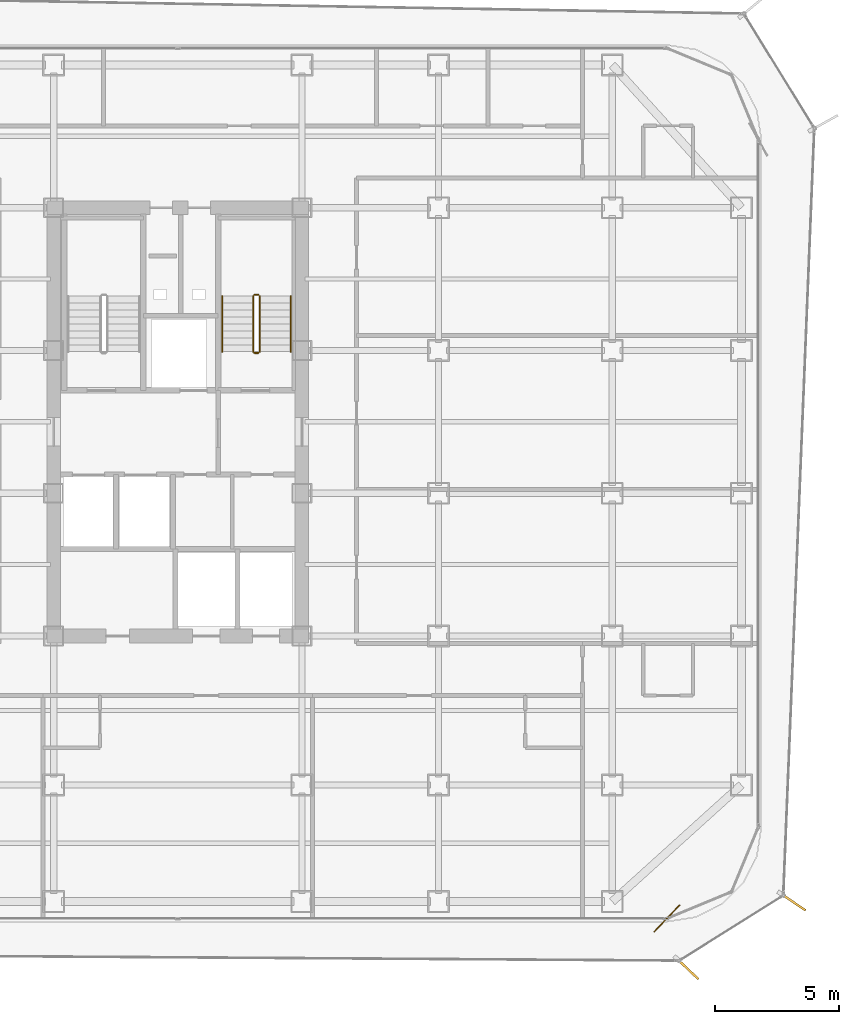
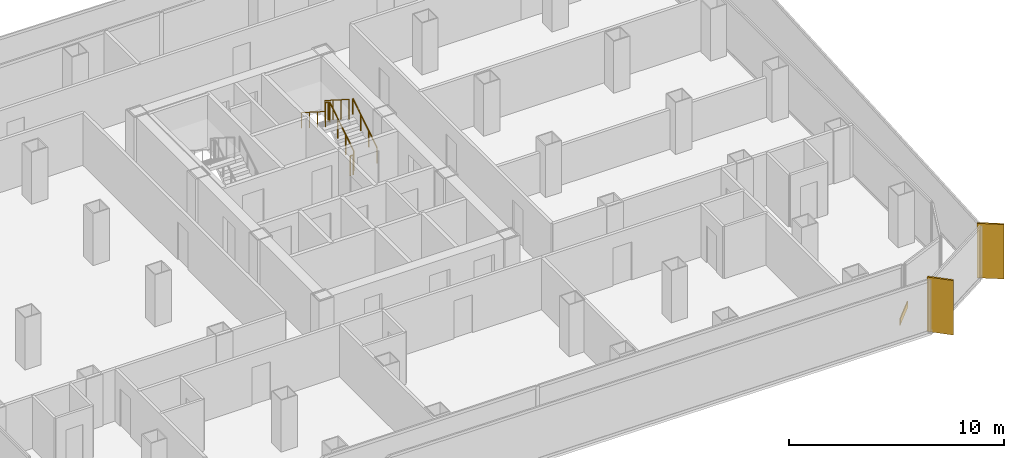
# One storey, part 20 of 21: 6 railings, 2 shading devices, 1 covering.
"""IFC4 building model written with IfcOpenShell, lengths in metres."""

from ifc_helpers import new_model, si_unit, direction, frame, origin, origin_2d, place, context, subcontext, project, spatial, rectangle, circle, extrude, source, transform, mapped, material, layer, layer_set, type_object, element, save


model = new_model("IFC4")

# Units and contexts
model_context = context("Model", 3, precision=1e-05, world=origin(), true_north=direction((0.0, 1.0)))
body_context = subcontext(model_context, "Body", "Model", "MODEL_VIEW")
ifc_project = project(units=[si_unit("LENGTHUNIT", "METRE"), si_unit("AREAUNIT", "SQUARE_METRE"), si_unit("VOLUMEUNIT", "CUBIC_METRE"), si_unit("PLANEANGLEUNIT", "RADIAN"), si_unit("MASSUNIT", "GRAM", prefix="KILO")], contexts=[model_context])

# Site, building, storey
site_placement = place(None, origin())
site = spatial("IfcSite", under=ifc_project, at=site_placement, CompositionType="ELEMENT")
building_placement = place(site_placement, origin())
building = spatial("IfcBuilding", under=site, at=building_placement, Name="Kolveth Station Tower", CompositionType="ELEMENT")
storey_placement = place(building_placement, frame((0.0, 0.0, 121.5)))
storey = spatial("IfcBuildingStorey", under=building, at=storey_placement, Name="L33", CompositionType="ELEMENT", Elevation=121.5)

# Railings
ifc_material_1 = material(Name="Painted Steel S355 balustrade", Category="steel")
railing_type_1 = type_object("IfcRailingType", Name="Guard_GR2", PredefinedType="BALUSTRADE", material=ifc_material_1)
railing_1_placement = place(storey_placement, frame((26.800048828125, 22.949951171875, 0.177734375)))
element("IfcRailing", 1, at=railing_1_placement, inside=storey, type_object=railing_type_1, Name="L33 ST2 stair guard 1", PredefinedType="BALUSTRADE", context=body_context, shape_type="SweptSolid", body=[
    extrude(circle(Radius=0.02392578125, at=origin_2d()), frame((0.0, 0.0, 1.1259765625), z_axis=(0.0, 0.84418770128, 0.536047689118), x_axis=(-1.0, 0.0, 0.0)), (0.0, 0.0, 1.0), 2.6533203125),
    extrude(circle(Radius=0.02099609375, at=origin_2d()), origin(), (0.0, 0.0, 1.0), 1.101806640625),
    extrude(circle(Radius=0.02099609375, at=origin_2d()), frame((0.0, 0.74658203125, 0.47412109375)), (0.0, 0.0, 1.0), 1.101806640625),
    extrude(circle(Radius=0.02099609375, at=origin_2d()), frame((0.0, 1.493408203125, 0.9482421875)), (0.0, 0.0, 1.0), 1.101806640625),
    extrude(circle(Radius=0.02099609375, at=origin_2d()), frame((0.0, 2.239990234375, 1.42236328125)), (0.0, 0.0, 1.0), 1.101806640625),
])
railing_2_placement = place(storey_placement, frame((26.75, 25.239990234375, 1.60009765625)))
element("IfcRailing", 2, at=railing_2_placement, inside=storey, type_object=railing_type_1, Name="L33 ST2 stair guard 2", PredefinedType="BALUSTRADE", context=body_context, shape_type="SweptSolid", body=[
    extrude(circle(Radius=0.02392578125, at=origin_2d()), frame((0.0, 0.0, 1.1259765625), z_axis=(-1.0, 0.0, 0.0), x_axis=(0.0, -1.0, 0.0)), (0.0, 0.0, 1.0), 0.159912109375),
    extrude(circle(Radius=0.02099609375, at=origin_2d()), origin(), (0.0, 0.0, 1.0), 1.101806640625),
    extrude(circle(Radius=0.02099609375, at=origin_2d()), frame((-0.159912109375, 0.0, 0.0)), (0.0, 0.0, 1.0), 1.101806640625),
])
railing_3_placement = place(storey_placement, frame((26.5400390625, 25.18994140625, 1.77783203125)))
element("IfcRailing", 3, at=railing_3_placement, inside=storey, type_object=railing_type_1, Name="L33 ST2 stair guard 3", PredefinedType="BALUSTRADE", context=body_context, shape_type="SweptSolid", body=[
    extrude(circle(Radius=0.02392578125, at=origin_2d()), frame((0.0, 0.0, 1.1259765625), z_axis=(0.0, -0.8442293374, 0.53598211339), x_axis=(1.0, 0.0, 0.0)), (0.0, 0.0, 1.0), 2.6533203125),
    extrude(circle(Radius=0.02099609375, at=origin_2d()), origin(), (0.0, 0.0, 1.0), 1.101806640625),
    extrude(circle(Radius=0.02099609375, at=origin_2d()), frame((0.0, -0.74658203125, 0.47412109375)), (0.0, 0.0, 1.0), 1.101806640625),
    extrude(circle(Radius=0.02099609375, at=origin_2d()), frame((0.0, -1.493408203125, 0.947998046875)), (0.0, 0.0, 1.0), 1.101806640625),
    extrude(circle(Radius=0.02099609375, at=origin_2d()), frame((0.0, -2.239990234375, 1.422119140625)), (0.0, 0.0, 1.0), 1.101806640625),
])
railing_4_placement = place(storey_placement, frame((26.75, 22.89990234375, 0.0)))
element("IfcRailing", 4, at=railing_4_placement, inside=storey, type_object=railing_type_1, Name="L33 ST2 stair guard 4", PredefinedType="BALUSTRADE", context=body_context, shape_type="SweptSolid", body=[
    extrude(circle(Radius=0.02392578125, at=origin_2d()), frame((0.0, 0.0, 1.1259765625), z_axis=(-1.0, 0.0, 0.0), x_axis=(0.0, -1.0, 0.0)), (0.0, 0.0, 1.0), 0.159912109375),
    extrude(circle(Radius=0.02099609375, at=origin_2d()), origin(), (0.0, 0.0, 1.0), 1.101806640625),
    extrude(circle(Radius=0.02099609375, at=origin_2d()), frame((-0.159912109375, 0.0, 0.0)), (0.0, 0.0, 1.0), 1.101806640625),
])
ifc_material_2 = material(Name="Brushed stainless steel", Category="steel")
railing_type_2 = type_object("IfcRailingType", Name="Handrail_HR1", PredefinedType="HANDRAIL", material=ifc_material_2)
railing_5_placement = place(storey_placement, frame((28.050048828125, 22.949951171875, 0.177734375)))
element("IfcRailing", 5, at=railing_5_placement, inside=storey, type_object=railing_type_2, Name="L33 ST2 stair handrail 1", PredefinedType="HANDRAIL", context=body_context, shape_type="SweptSolid", body=[
    extrude(circle(Radius=0.02392578125, at=origin_2d()), frame((0.0, 0.0, 0.8759765625), z_axis=(0.0, 0.84418770128, 0.536047689118), x_axis=(-1.0, 0.0, 0.0)), (0.0, 0.0, 1.0), 2.6533203125),
    extrude(circle(Radius=0.02099609375, at=origin_2d()), origin(), (0.0, 0.0, 1.0), 0.851806640625),
    extrude(circle(Radius=0.02099609375, at=origin_2d()), frame((0.0, 0.74658203125, 0.47412109375)), (0.0, 0.0, 1.0), 0.851806640625),
    extrude(circle(Radius=0.02099609375, at=origin_2d()), frame((0.0, 1.493408203125, 0.9482421875)), (0.0, 0.0, 1.0), 0.851806640625),
    extrude(circle(Radius=0.02099609375, at=origin_2d()), frame((0.0, 2.239990234375, 1.42236328125)), (0.0, 0.0, 1.0), 0.851806640625),
])
railing_6_placement = place(storey_placement, frame((25.2900390625, 25.18994140625, 1.77783203125)))
element("IfcRailing", 6, at=railing_6_placement, inside=storey, type_object=railing_type_2, Name="L33 ST2 stair handrail 2", PredefinedType="HANDRAIL", context=body_context, shape_type="SweptSolid", body=[
    extrude(circle(Radius=0.02392578125, at=origin_2d()), frame((0.0, 0.0, 0.8759765625), z_axis=(0.0, -0.8442293374, 0.53598211339), x_axis=(1.0, 0.0, 0.0)), (0.0, 0.0, 1.0), 2.6533203125),
    extrude(circle(Radius=0.02099609375, at=origin_2d()), origin(), (0.0, 0.0, 1.0), 0.851806640625),
    extrude(circle(Radius=0.02099609375, at=origin_2d()), frame((0.0, -0.74658203125, 0.47412109375)), (0.0, 0.0, 1.0), 0.851806640625),
    extrude(circle(Radius=0.02099609375, at=origin_2d()), frame((0.0, -1.493408203125, 0.947998046875)), (0.0, 0.0, 1.0), 0.851806640625),
    extrude(circle(Radius=0.02099609375, at=origin_2d()), frame((0.0, -2.239990234375, 1.422119140625)), (0.0, 0.0, 1.0), 0.851806640625),
])

# Shading devices
ifc_material_3 = material(Name="Black anodized aluminium 6063-T6", Category="aluminium")
shading_device_type = type_object("IfcShadingDeviceType", Name="FIN_VF1", PredefinedType="USERDEFINED", material=ifc_material_3)
shared_shape_1 = source(origin(), body_context, "Body", "SweptSolid", [
    extrude(rectangle(XDim=1.25, YDim=0.090087890625, at=origin_2d()), origin(), (0.0, 0.0, 1.0), 3.10009765625),
])
for number, where, z_axis, x_axis, name in (
    (7, (44.01904296875, -1.89306640625, 0.0), (0.0, 0.0, 1.0), (0.724171861437, -0.689619543736, 0.0), "L33 Dark-Aluminium Solar Fin 1"),
    (8, (48.26806640625, 0.798095703125, 0.0), (0.0, 0.0, 1.0), (0.826786154745, -0.562516359159, 0.0), "L33 Dark-Aluminium Solar Fin 2"),
):
    element("IfcShadingDevice", number, at=place(storey_placement, frame(where, z_axis=z_axis, x_axis=x_axis)), inside=storey, type_object=shading_device_type, Name=name, ObjectType="FIN", PredefinedType="USERDEFINED", context=body_context, shape_type="MappedRepresentation", body=[
        mapped(shared_shape_1, transform((0.0, 0.0, 0.0), x_axis=(1.0, 0.0, 0.0), y_axis=(0.0, 1.0, 0.0), z_axis=(0.0, 0.0, 1.0), scale=1.0)),
    ])

# Covering
ifc_material_4 = material(Name="Charcoal anodized aluminium spandrel cladding", Category="aluminium")
ifc_layer = layer(ifc_material_4, 0.044921875)
ifc_layer_set = layer_set([ifc_layer], Name="Charcoal anodized aluminium spandrel cladding")
covering_type = type_object("IfcCoveringType", Name="Clad_CD1", PredefinedType="CLADDING", material=ifc_layer_set)
shared_shape_2 = source(origin(), body_context, "Body", "SweptSolid", [
    extrude(rectangle(XDim=1.5, YDim=0.044921875, at=origin_2d()), origin(), (0.0, 0.0, 1.0), 0.360107421875),
])
covering_placement = place(storey_placement, frame((43.199951171875, 0.1201171875, 0.0), z_axis=(0.0, 0.0, 1.0), x_axis=(0.689619543736, 0.724171861437, 0.0)))
element("IfcCovering", 9, at=covering_placement, inside=storey, type_object=covering_type, Name="L33 Spandrel Edge Cladding 1", PredefinedType="CLADDING", context=body_context, shape_type="MappedRepresentation", body=[
    mapped(shared_shape_2, transform((0.0, 0.0, 0.0), x_axis=(1.0, 0.0, 0.0), y_axis=(0.0, 1.0, 0.0), z_axis=(0.0, 0.0, 1.0), scale=1.0)),
])

save(model, "model.ifc")
